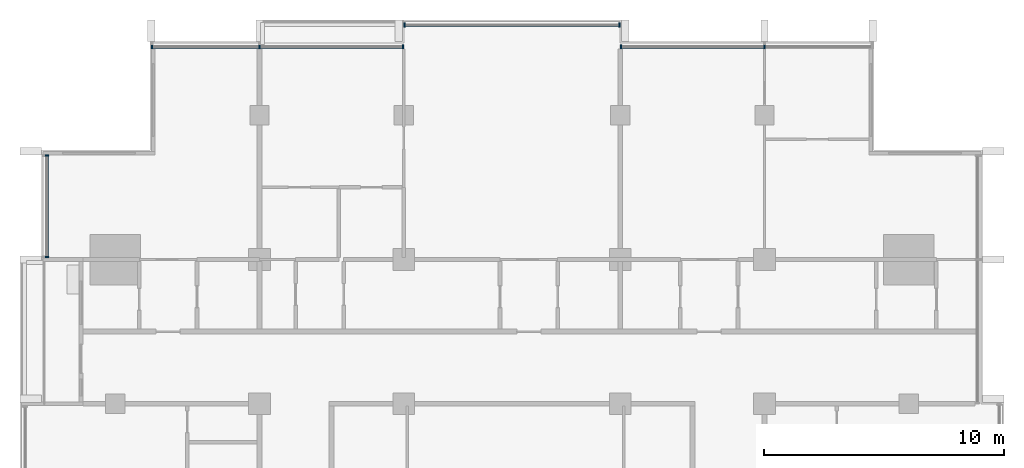
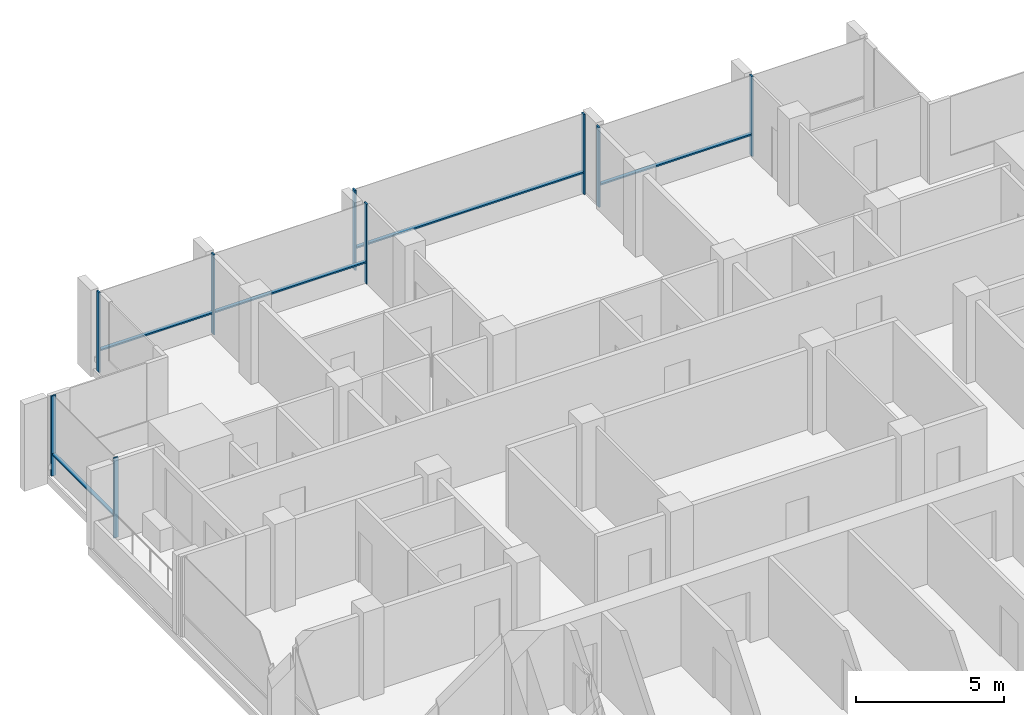
# One storey, part 4 of 16: 14 members, 4 elements without a shape of their own.
"""IFC4 building model written with IfcOpenShell, lengths in metres."""

from ifc_helpers import new_model, si_unit, direction, frame, origin, origin_2d, place, context, subcontext, project, spatial, rectangle, extrude, material, material_profile, profile_set, type_object, element, aggregate, save


model = new_model("IFC4")

# Units and contexts
model_context = context("Model", 3, precision=1e-05, world=origin(), true_north=direction((0.0, 1.0)))
body_context = subcontext(model_context, "Body", "Model", "MODEL_VIEW")
ifc_project = project(units=[si_unit("LENGTHUNIT", "METRE"), si_unit("AREAUNIT", "SQUARE_METRE"), si_unit("VOLUMEUNIT", "CUBIC_METRE"), si_unit("PLANEANGLEUNIT", "RADIAN"), si_unit("MASSUNIT", "GRAM", prefix="KILO")], contexts=[model_context])

# Site, building, storey
site_placement = place(None, origin())
site = spatial("IfcSite", under=ifc_project, at=site_placement, CompositionType="ELEMENT")
building_placement = place(site_placement, origin())
building = spatial("IfcBuilding", under=site, at=building_placement, Name="Finial Court Residences", CompositionType="ELEMENT")
storey_placement = place(building_placement, frame((0.0, 0.0, 223.10009765625)))
storey = spatial("IfcBuildingStorey", under=building, at=storey_placement, Name="L56", CompositionType="ELEMENT", Elevation=223.10009765625)

# Curtain wall, members
ifc_material = material(Name="Bronze anodised aluminium", Category="aluminium")
curtain_wall_type = type_object("IfcCurtainWallType", Name="Unitised curtain wall, upper zones", PredefinedType="NOTDEFINED", material=ifc_material)
curtain_wall_1_placement = place(storey_placement, origin())
curtain_wall_1 = element("IfcCurtainWall", 1, at=curtain_wall_1_placement, inside=storey, type_object=curtain_wall_type, Name="E-L56-CW-N1", PredefinedType="NOTDEFINED")
ifc_material_profile_1 = material_profile(ifc_material, rectangle(XDim=0.175048828125, YDim=0.06005859375, at=origin_2d()), Name="CW2 mullion 60 x 175")
ifc_profile_set_1 = profile_set([ifc_material_profile_1], Name="Bronze anodised aluminium")
member_type_1 = type_object("IfcMemberType", Name="CW2 mullion 60 x 175", PredefinedType="MULLION", material=ifc_profile_set_1)
member_1_placement = place(storey_placement, frame((-14.969970703125, 16.35009765625, 0.0), z_axis=(0.0, 0.0, 1.0), x_axis=(0.0, 1.0, 0.0)))
member_1 = element("IfcMember", 2, at=member_1_placement, type_object=member_type_1, Name="CW2 mullion 1", PredefinedType="MULLION", context=body_context, shape_type="SweptSolid", body=[
    extrude(rectangle(XDim=0.175048828125, YDim=0.06005859375, at=origin_2d()), origin(), (0.0, 0.0, 1.0), 3.2998046875),
])
member_2_placement = place(storey_placement, frame((-10.5, 16.35009765625, 0.0), z_axis=(0.0, 0.0, 1.0), x_axis=(0.0, 1.0, 0.0)))
member_2 = element("IfcMember", 3, at=member_2_placement, type_object=member_type_1, Name="CW2 mullion 2", PredefinedType="MULLION", context=body_context, shape_type="SweptSolid", body=[
    extrude(rectangle(XDim=0.175048828125, YDim=0.06005859375, at=origin_2d()), origin(), (0.0, 0.0, 1.0), 3.2998046875),
])
member_3_placement = place(storey_placement, frame((-4.530029296875, 16.35009765625, 0.0), z_axis=(0.0, 0.0, 1.0), x_axis=(0.0, 1.0, 0.0)))
member_3 = element("IfcMember", 4, at=member_3_placement, type_object=member_type_1, Name="CW2 mullion 3", PredefinedType="MULLION", context=body_context, shape_type="SweptSolid", body=[
    extrude(rectangle(XDim=0.175048828125, YDim=0.06005859375, at=origin_2d()), origin(), (0.0, 0.0, 1.0), 3.2998046875),
])

curtain_wall_2_placement = place(storey_placement, origin())
curtain_wall_2 = element("IfcCurtainWall", 5, at=curtain_wall_2_placement, inside=storey, type_object=curtain_wall_type, Name="E-L56-CW-N2", PredefinedType="NOTDEFINED")
member_4_placement = place(storey_placement, frame((-4.469970703125, 17.25, 0.0), z_axis=(0.0, 0.0, 1.0), x_axis=(0.0, 1.0, 0.0)))
member_4 = element("IfcMember", 6, at=member_4_placement, type_object=member_type_1, Name="CW2 mullion 1", PredefinedType="MULLION", context=body_context, shape_type="SweptSolid", body=[
    extrude(rectangle(XDim=0.175048828125, YDim=0.06005859375, at=origin_2d()), origin(), (0.0, 0.0, 1.0), 3.2998046875),
])
member_5_placement = place(storey_placement, frame((4.469970703125, 17.25, 0.0), z_axis=(0.0, 0.0, 1.0), x_axis=(0.0, 1.0, 0.0)))
member_5 = element("IfcMember", 7, at=member_5_placement, type_object=member_type_1, Name="CW2 mullion 2", PredefinedType="MULLION", context=body_context, shape_type="SweptSolid", body=[
    extrude(rectangle(XDim=0.175048828125, YDim=0.06005859375, at=origin_2d()), origin(), (0.0, 0.0, 1.0), 3.2998046875),
])

curtain_wall_3_placement = place(storey_placement, origin())
curtain_wall_3 = element("IfcCurtainWall", 8, at=curtain_wall_3_placement, inside=storey, type_object=curtain_wall_type, Name="E-L56-CW-N3", PredefinedType="NOTDEFINED")
member_6_placement = place(storey_placement, frame((4.530029296875, 16.35009765625, 0.0), z_axis=(0.0, 0.0, 1.0), x_axis=(0.0, 1.0, 0.0)))
member_6 = element("IfcMember", 9, at=member_6_placement, type_object=member_type_1, Name="CW2 mullion 1", PredefinedType="MULLION", context=body_context, shape_type="SweptSolid", body=[
    extrude(rectangle(XDim=0.175048828125, YDim=0.06005859375, at=origin_2d()), origin(), (0.0, 0.0, 1.0), 3.2998046875),
])
member_7_placement = place(storey_placement, frame((10.5, 16.35009765625, 0.0), z_axis=(0.0, 0.0, 1.0), x_axis=(0.0, 1.0, 0.0)))
member_7 = element("IfcMember", 10, at=member_7_placement, type_object=member_type_1, Name="CW2 mullion 2", PredefinedType="MULLION", context=body_context, shape_type="SweptSolid", body=[
    extrude(rectangle(XDim=0.175048828125, YDim=0.06005859375, at=origin_2d()), origin(), (0.0, 0.0, 1.0), 3.2998046875),
])

curtain_wall_4_placement = place(storey_placement, origin())
curtain_wall_4 = element("IfcCurtainWall", 11, at=curtain_wall_4_placement, inside=storey, type_object=curtain_wall_type, Name="E-L56-CW-W11", PredefinedType="NOTDEFINED")
member_8_placement = place(storey_placement, frame((-19.35009765625, 7.60498046875, 0.0), z_axis=(0.0, 0.0, 1.0), x_axis=(-1.0, 0.0, 0.0)))
member_8 = element("IfcMember", 12, at=member_8_placement, type_object=member_type_1, Name="CW2 mullion 1", PredefinedType="MULLION", context=body_context, shape_type="SweptSolid", body=[
    extrude(rectangle(XDim=0.175048828125, YDim=0.06005859375, at=origin_2d()), origin(), (0.0, 0.0, 1.0), 3.2998046875),
])
member_9_placement = place(storey_placement, frame((-19.35009765625, 11.820068359375, 0.0), z_axis=(0.0, 0.0, 1.0), x_axis=(-1.0, 0.0, 0.0)))
member_9 = element("IfcMember", 13, at=member_9_placement, type_object=member_type_1, Name="CW2 mullion 2", PredefinedType="MULLION", context=body_context, shape_type="SweptSolid", body=[
    extrude(rectangle(XDim=0.175048828125, YDim=0.06005859375, at=origin_2d()), origin(), (0.0, 0.0, 1.0), 3.2998046875),
])

# Member
ifc_material_profile_2 = material_profile(ifc_material, rectangle(XDim=0.139892578125, YDim=0.06005859375, at=origin_2d()), Name="CW2 transom 60 x 140")
ifc_profile_set_2 = profile_set([ifc_material_profile_2], Name="Bronze anodised aluminium")
member_type_2 = type_object("IfcMemberType", Name="CW2 transom 60 x 140", PredefinedType="USERDEFINED", material=ifc_profile_set_2)
member_10_placement = place(storey_placement, frame((-14.93994140625, 16.35009765625, 0.89990234375), z_axis=(1.0, 0.0, 0.0), x_axis=(0.0, 1.0, 0.0)))
member_10 = element("IfcMember", 14, at=member_10_placement, type_object=member_type_2, Name="CW2 transom 1.1", ObjectType="TRANSOM", PredefinedType="USERDEFINED", context=body_context, shape_type="SweptSolid", body=[
    extrude(rectangle(XDim=0.139892578125, YDim=0.06005859375, at=origin_2d()), origin(), (0.0, 0.0, 1.0), 4.409912109375),
])

member_11_placement = place(storey_placement, frame((-10.469970703125, 16.35009765625, 0.89990234375), z_axis=(1.0, 0.0, 0.0), x_axis=(0.0, 1.0, 0.0)))
member_11 = element("IfcMember", 15, at=member_11_placement, type_object=member_type_2, Name="CW2 transom 2.1", ObjectType="TRANSOM", PredefinedType="USERDEFINED", context=body_context, shape_type="SweptSolid", body=[
    extrude(rectangle(XDim=0.139892578125, YDim=0.06005859375, at=origin_2d()), origin(), (0.0, 0.0, 1.0), 5.909912109375),
])

aggregate(curtain_wall_1, [member_1, member_2, member_3, member_10, member_11])

member_12_placement = place(storey_placement, frame((-4.43994140625, 17.25, 0.89990234375), z_axis=(1.0, 0.0, 0.0), x_axis=(0.0, 1.0, 0.0)))
member_12 = element("IfcMember", 16, at=member_12_placement, type_object=member_type_2, Name="CW2 transom 1.1", ObjectType="TRANSOM", PredefinedType="USERDEFINED", context=body_context, shape_type="SweptSolid", body=[
    extrude(rectangle(XDim=0.139892578125, YDim=0.06005859375, at=origin_2d()), origin(), (0.0, 0.0, 1.0), 8.8798828125),
])

aggregate(curtain_wall_2, [member_4, member_5, member_12])

member_13_placement = place(storey_placement, frame((4.56005859375, 16.35009765625, 0.89990234375), z_axis=(1.0, 0.0, 0.0), x_axis=(0.0, 1.0, 0.0)))
member_13 = element("IfcMember", 17, at=member_13_placement, type_object=member_type_2, Name="CW2 transom 1.1", ObjectType="TRANSOM", PredefinedType="USERDEFINED", context=body_context, shape_type="SweptSolid", body=[
    extrude(rectangle(XDim=0.139892578125, YDim=0.06005859375, at=origin_2d()), origin(), (0.0, 0.0, 1.0), 5.909912109375),
])

aggregate(curtain_wall_3, [member_6, member_7, member_13])

member_14_placement = place(storey_placement, frame((-19.35009765625, 7.635009765625, 0.89990234375), z_axis=(0.0, 1.0, 0.0), x_axis=(-1.0, 0.0, 0.0)))
member_14 = element("IfcMember", 18, at=member_14_placement, type_object=member_type_2, Name="CW2 transom 1.1", ObjectType="TRANSOM", PredefinedType="USERDEFINED", context=body_context, shape_type="SweptSolid", body=[
    extrude(rectangle(XDim=0.139892578125, YDim=0.06005859375, at=origin_2d()), origin(), (0.0, 0.0, 1.0), 4.155029296875),
])

aggregate(curtain_wall_4, [member_8, member_9, member_14])

save(model, "model.ifc")
